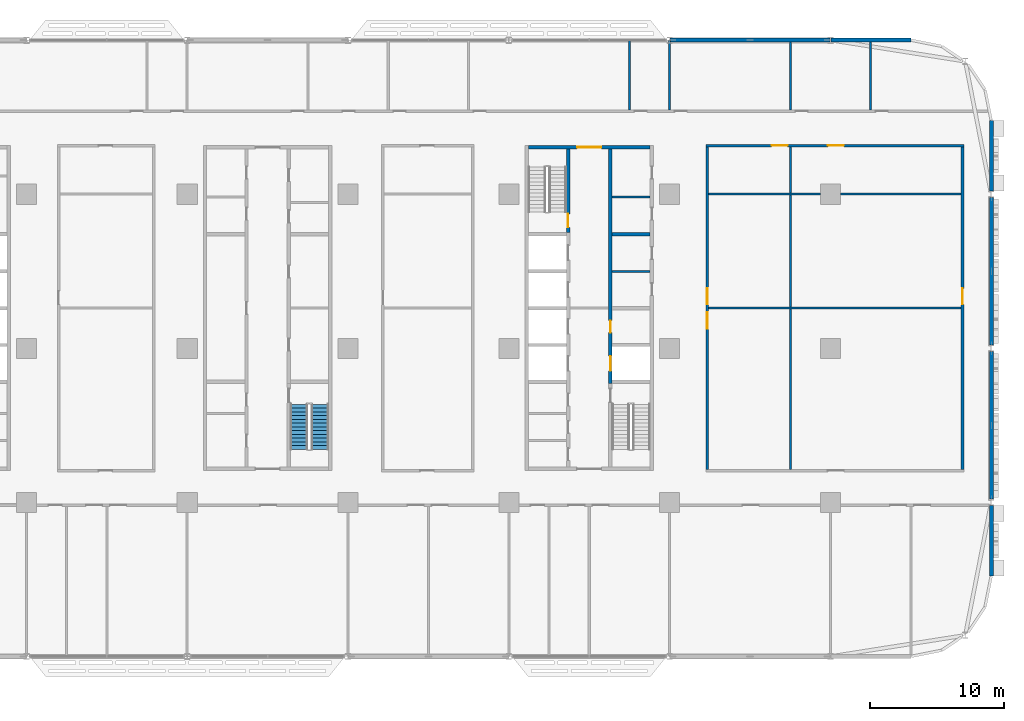
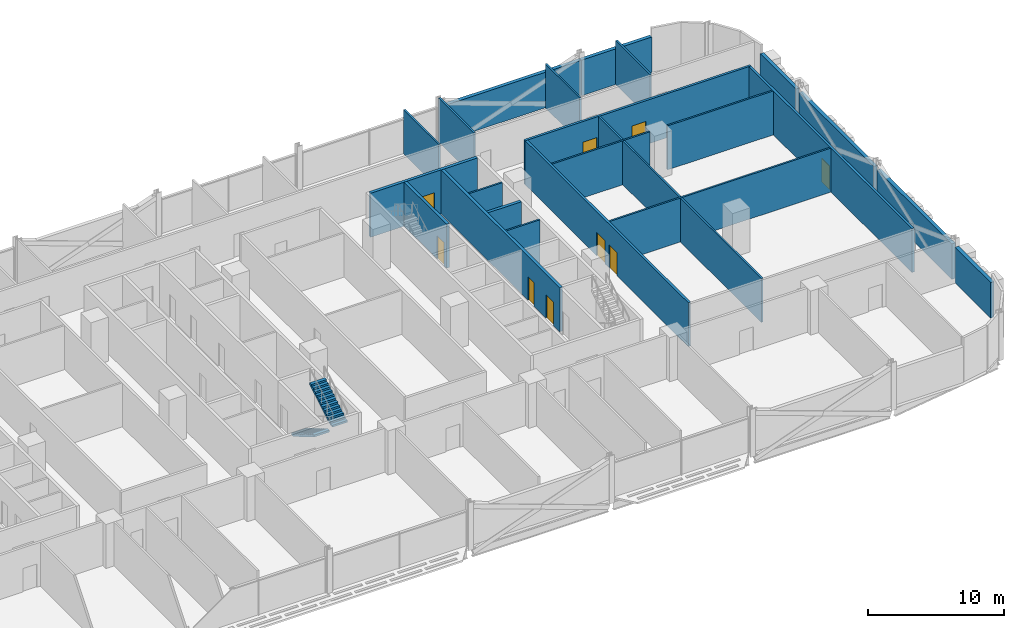
# One storey, part 17 of 29: 23 walls, 9 doors, 2 stair flights, 9 openings, 1 element without a shape of its own.
"""IFC4 building model written with IfcOpenShell, lengths in metres."""

from ifc_helpers import new_model, si_unit, direction, frame, frame_2d, origin, place, context, subcontext, project, spatial, polyline, rectangle, outline, extrude, material, layer, layer_set, type_object, element, fill, aggregate, save


model = new_model("IFC4")

# Units and contexts
model_context = context("Model", 3, precision=1e-05, world=origin(), true_north=direction((0.0, 1.0)))
body_context = subcontext(model_context, "Body", "Model", "MODEL_VIEW")
ifc_project = project(units=[si_unit("LENGTHUNIT", "METRE"), si_unit("AREAUNIT", "SQUARE_METRE"), si_unit("VOLUMEUNIT", "CUBIC_METRE"), si_unit("PLANEANGLEUNIT", "RADIAN"), si_unit("MASSUNIT", "GRAM", prefix="KILO")], contexts=[model_context])

# Site, building, storey
site_placement = place(None, origin())
site = spatial("IfcSite", under=ifc_project, at=site_placement, CompositionType="ELEMENT")
building_placement = place(site_placement, origin())
building = spatial("IfcBuilding", under=site, at=building_placement, Name="Mahtab Terrace Research Tower", CompositionType="ELEMENT")
storey_placement = place(building_placement, frame((0.0, 0.0, 58.89990234375)))
storey = spatial("IfcBuildingStorey", under=building, at=storey_placement, Name="L13", CompositionType="ELEMENT", Elevation=58.89990234375)

# Walls
ifc_material_1 = material(Name="Gypsum board partition")
ifc_layer_1 = layer(ifc_material_1, 0.14990234375)
ifc_layer_set_1 = layer_set([ifc_layer_1], Name="Core partition 150")
wall_type_1 = type_object("IfcWallType", Name="Core partition 150", PredefinedType="PARTITIONING", material=ifc_layer_set_1)
for number, where, z_axis, x_axis, name in (
    (1, (25.699951171875, 5.75, 0.0), (0.0, 0.0, 1.0), (1.0, 0.0, 0.0), "Core wall C pEL275"),
    (2, (25.699951171875, 11.27490234375, 0.0), (0.0, 0.0, 1.0), (1.0, 0.0, 0.0), "Core wall C pEN828"),
):
    element("IfcWall", number, at=place(storey_placement, frame(where, z_axis=z_axis, x_axis=x_axis)), inside=storey, type_object=wall_type_1, Name=name, PredefinedType="PARTITIONING", context=body_context, shape_type="SweptSolid", body=[
        extrude(rectangle(XDim=2.85009765625, YDim=0.14990234375, at=frame_2d((1.425048828125, 0.0))), origin(), (0.0, 0.0, 1.0), 3.960205078125),
    ])

# Wall, opening, door
ifc_material_2 = material(Name="Concrete C70/85", Category="concrete")
ifc_layer_2 = layer(ifc_material_2, 0.25)
ifc_layer_set_2 = layer_set([ifc_layer_2], Name="Core wall 250")
wall_type_2 = type_object("IfcWallType", Name="Core wall 250", PredefinedType="SOLIDWALL", material=ifc_layer_set_2)
wall_1_placement = place(storey_placement, frame((19.449951171875, 15.0, 0.0), z_axis=(0.0, 0.0, 1.0), x_axis=(1.0, 0.0, 0.0)))
wall_1 = element("IfcWall", 3, at=wall_1_placement, inside=storey, type_object=wall_type_2, Name="Core wall C endN", PredefinedType="SOLIDWALL", context=body_context, shape_type="SweptSolid", body=[
    extrude(rectangle(XDim=9.10009765625, YDim=0.25, at=frame_2d((4.550048828125, 0.0))), origin(), (0.0, 0.0, 1.0), 3.960205078125),
])
opening_1_placement = place(wall_1_placement, frame((3.64990234375, 0.0, 0.0)))
opening_1 = element("IfcOpeningElement", 4, at=opening_1_placement, cuts=wall_1, Name="Opening C-N1", PredefinedType="OPENING", context=body_context, shape_type="SweptSolid", body=[
    extrude(rectangle(XDim=1.800048828125, YDim=2.10009765625, at=frame_2d((0.89990234375, 1.050048828125))), frame((0.0, 0.135009765625, 0.0), z_axis=(0.0, -1.0, 0.0), x_axis=(1.0, 0.0, 0.0)), (0.0, 0.0, 1.0), 0.27001953125),
])
ifc_material_3 = material(Name="Steel fire door", Category="steel")
door_type_1 = type_object("IfcDoorType", Name="Lobby double door 1800x2100 1 HR", OperationType="DOUBLE_DOOR_SINGLE_SWING", PredefinedType="DOOR", material=ifc_material_3)
door_1_placement = place(opening_1_placement, origin())
door_1 = element("IfcDoor", 5, at=door_1_placement, inside=storey, type_object=door_type_1, Name="Core entrance door C N", OperationType="DOUBLE_DOOR_SINGLE_SWING", OverallHeight=2.10009765625, OverallWidth=1.800048828125, PredefinedType="DOOR", context=body_context, shape_type="SweptSolid", body=[
    extrude(rectangle(XDim=1.800048828125, YDim=2.10009765625, at=frame_2d((0.89990234375, 1.050048828125))), frame((0.0, 0.02490234375, 0.0), z_axis=(0.0, -1.0, 0.0), x_axis=(1.0, 0.0, 0.0)), (0.0, 0.0, 1.0), 0.050048828125),
])
fill(opening_1, door_1)

wall_2_placement = place(storey_placement, frame((22.425048828125, 14.875, 0.0), z_axis=(0.0, 0.0, 1.0), x_axis=(0.0, -1.0, 0.0)))
wall_2 = element("IfcWall", 6, at=wall_2_placement, inside=storey, type_object=wall_type_2, Name="Core wall C innerWN", PredefinedType="SOLIDWALL", context=body_context, shape_type="SweptSolid", body=[
    extrude(rectangle(XDim=6.25, YDim=0.25, at=frame_2d((3.125, 0.0))), origin(), (0.0, 0.0, 1.0), 3.960205078125),
])
opening_2_placement = place(wall_2_placement, frame((4.85009765625, 0.0, 0.0)))
opening_2 = element("IfcOpeningElement", 7, at=opening_2_placement, cuts=wall_2, Name="Opening C-ST3", PredefinedType="OPENING", context=body_context, shape_type="SweptSolid", body=[
    extrude(rectangle(XDim=1.0, YDim=2.10009765625, at=frame_2d((0.5, 1.050048828125))), frame((0.0, 0.135009765625, 0.0), z_axis=(0.0, -1.0, 0.0), x_axis=(1.0, 0.0, 0.0)), (0.0, 0.0, 1.0), 0.27001953125),
])
door_type_2 = type_object("IfcDoorType", Name="Stair door 1000x2100 1.5 HR", OperationType="NOTDEFINED", PredefinedType="DOOR", material=ifc_material_3)
door_2_placement = place(opening_2_placement, origin())
door_2 = element("IfcDoor", 8, at=door_2_placement, inside=storey, type_object=door_type_2, Name="Stair door ST3 L13", OperationType="SINGLE_SWING_LEFT", OverallHeight=2.10009765625, OverallWidth=1.0, PredefinedType="DOOR", context=body_context, shape_type="SweptSolid", body=[
    extrude(rectangle(XDim=1.0, YDim=2.10009765625, at=frame_2d((0.5, 1.050048828125))), frame((0.0, 0.02490234375, 0.0), z_axis=(0.0, -1.0, 0.0), x_axis=(1.0, 0.0, 0.0)), (0.0, 0.0, 1.0), 0.050048828125),
])
fill(opening_2, door_2)

# Wall, openings, doors
wall_3_placement = place(storey_placement, frame((25.574951171875, 14.875, 0.0), z_axis=(0.0, 0.0, 1.0), x_axis=(0.0, -1.0, 0.0)))
wall_3 = element("IfcWall", 9, at=wall_3_placement, inside=storey, type_object=wall_type_2, Name="Core wall C innerELN", PredefinedType="SOLIDWALL", context=body_context, shape_type="SweptSolid", body=[
    extrude(rectangle(XDim=17.5, YDim=0.25, at=frame_2d((8.75, 0.0))), origin(), (0.0, 0.0, 1.0), 3.960205078125),
])
opening_3_placement = place(wall_3_placement, frame((15.449951171875, 0.0, 0.0)))
opening_3 = element("IfcOpeningElement", 10, at=opening_3_placement, cuts=wall_3, Name="Opening LD21-L13", PredefinedType="OPENING", context=body_context, shape_type="SweptSolid", body=[
    extrude(rectangle(XDim=1.10009765625, YDim=2.10009765625, at=frame_2d((0.550048828125, 1.050048828125))), frame((0.0, 0.135009765625, 0.0), z_axis=(0.0, -1.0, 0.0), x_axis=(1.0, 0.0, 0.0)), (0.0, 0.0, 1.0), 0.27001953125),
])
opening_4_placement = place(wall_3_placement, frame((12.800048828125, 0.0, 0.0)))
opening_4 = element("IfcOpeningElement", 11, at=opening_4_placement, cuts=wall_3, Name="Opening C-R1", PredefinedType="OPENING", context=body_context, shape_type="SweptSolid", body=[
    extrude(rectangle(XDim=0.89990234375, YDim=2.10009765625, at=frame_2d((0.449951171875, 1.050048828125))), frame((0.0, 0.135009765625, 0.0), z_axis=(0.0, -1.0, 0.0), x_axis=(1.0, 0.0, 0.0)), (0.0, 0.0, 1.0), 0.27001953125),
])
ifc_material_4 = material(Name="Stainless steel AISI 304", Category="steel")
door_type_3 = type_object("IfcDoorType", Name="Landing door 1100x2100", OperationType="DOUBLE_DOOR_SLIDING", PredefinedType="DOOR", material=ifc_material_4)
door_3_placement = place(opening_3_placement, origin())
door_3 = element("IfcDoor", 12, at=door_3_placement, inside=storey, type_object=door_type_3, Name="Landing door SV3 L13", OperationType="DOUBLE_DOOR_SLIDING", OverallHeight=2.10009765625, OverallWidth=1.10009765625, PredefinedType="DOOR", context=body_context, shape_type="SweptSolid", body=[
    extrude(rectangle(XDim=1.10009765625, YDim=2.10009765625, at=frame_2d((0.550048828125, 1.050048828125))), frame((0.0, 0.02490234375, 0.0), z_axis=(0.0, -1.0, 0.0), x_axis=(1.0, 0.0, 0.0)), (0.0, 0.0, 1.0), 0.050048828125),
])
fill(opening_3, door_3)
door_type_4 = type_object("IfcDoorType", Name="Room door 900x2100 1 HR", OperationType="NOTDEFINED", PredefinedType="DOOR", material=ifc_material_3)
door_4_placement = place(opening_4_placement, origin())
door_4 = element("IfcDoor", 13, at=door_4_placement, inside=storey, type_object=door_type_4, Name="Plant room door", OperationType="SINGLE_SWING_LEFT", OverallHeight=2.10009765625, OverallWidth=0.89990234375, PredefinedType="DOOR", context=body_context, shape_type="SweptSolid", body=[
    extrude(rectangle(XDim=0.89990234375, YDim=2.10009765625, at=frame_2d((0.449951171875, 1.050048828125))), frame((0.0, 0.02490234375, 0.0), z_axis=(0.0, -1.0, 0.0), x_axis=(1.0, 0.0, 0.0)), (0.0, 0.0, 1.0), 0.050048828125),
])
fill(opening_4, door_4)

# Walls
wall_4_placement = place(storey_placement, frame((25.699951171875, 8.5, 0.0), z_axis=(0.0, 0.0, 1.0), x_axis=(1.0, 0.0, 0.0)))
element("IfcWall", 14, at=wall_4_placement, inside=storey, type_object=wall_type_2, Name="Core wall C divE4", PredefinedType="SOLIDWALL", context=body_context, shape_type="SweptSolid", body=[
    extrude(rectangle(XDim=2.85009765625, YDim=0.25, at=frame_2d((1.425048828125, 0.0))), origin(), (0.0, 0.0, 1.0), 3.960205078125),
])
ifc_material_5 = material(Name="Black aluminium cladding panel", Category="aluminium")
ifc_layer_3 = layer(ifc_material_5, 0.300048828125)
ifc_layer_set_3 = layer_set([ifc_layer_3], Name="Opaque facade wall 300")
wall_type_3 = type_object("IfcWallType", Name="Opaque facade wall 300", PredefinedType="NOTDEFINED", material=ifc_layer_set_3)
wall_5_placement = place(storey_placement, frame((48.0, 23.0, 0.0), z_axis=(0.0, 0.0, 1.0), x_axis=(-1.0, 0.0, 0.0)))
element("IfcWall", 15, at=wall_5_placement, inside=storey, type_object=wall_type_3, Name="Opaque facade wall L13 N3", PredefinedType="NOTDEFINED", context=body_context, shape_type="SweptSolid", body=[
    extrude(rectangle(XDim=5.97607421875, YDim=0.300048828125, at=frame_2d((2.988037109375, 0.0))), origin(), (0.0, 0.0, 1.0), 3.203125),
])
wall_6_placement = place(storey_placement, frame((41.97607421875, 23.0, 0.0), z_axis=(0.0, 0.0, 1.0), x_axis=(-1.0, 0.0, 0.0)))
element("IfcWall", 16, at=wall_6_placement, inside=storey, type_object=wall_type_3, Name="Opaque facade wall L13 N4", PredefinedType="NOTDEFINED", context=body_context, shape_type="SweptSolid", body=[
    extrude(rectangle(XDim=11.9521484375, YDim=0.300048828125, at=frame_2d((5.97607421875, 0.0))), origin(), (0.0, 0.0, 1.0), 3.203125),
])
wall_7_placement = place(storey_placement, frame((54.0, -17.0, 0.0), z_axis=(0.0, 0.0, 1.0), x_axis=(0.0, 1.0, 0.0)))
element("IfcWall", 17, at=wall_7_placement, inside=storey, type_object=wall_type_3, Name="Opaque facade wall L13 E35", PredefinedType="NOTDEFINED", context=body_context, shape_type="SweptSolid", body=[
    extrude(rectangle(XDim=5.261962890625, YDim=0.300048828125, at=frame_2d((2.630859375, 0.0))), origin(), (0.0, 0.0, 1.0), 3.203125),
])
for number, where, z_axis, x_axis, name in (
    (18, (54.0, -11.261962890625, 0.0), (0.0, 0.0, 1.0), (0.0, 1.0, 0.0), "Opaque facade wall L13 E36"),
    (19, (54.0, 0.238037109375, 0.0), (0.0, 0.0, 1.0), (0.0, 1.0, 0.0), "Opaque facade wall L13 E37"),
):
    element("IfcWall", number, at=place(storey_placement, frame(where, z_axis=z_axis, x_axis=x_axis)), inside=storey, type_object=wall_type_3, Name=name, PredefinedType="NOTDEFINED", context=body_context, shape_type="SweptSolid", body=[
        extrude(rectangle(XDim=11.02392578125, YDim=0.300048828125, at=frame_2d((5.511962890625, 0.0))), origin(), (0.0, 0.0, 1.0), 3.203125),
    ])
wall_8_placement = place(storey_placement, frame((54.0, 11.738037109375, 0.0), z_axis=(0.0, 0.0, 1.0), x_axis=(0.0, 1.0, 0.0)))
element("IfcWall", 20, at=wall_8_placement, inside=storey, type_object=wall_type_3, Name="Opaque facade wall L13 E38", PredefinedType="NOTDEFINED", context=body_context, shape_type="SweptSolid", body=[
    extrude(rectangle(XDim=5.261962890625, YDim=0.300048828125, at=frame_2d((2.630859375, 0.0))), origin(), (0.0, 0.0, 1.0), 3.203125),
])

# Wall, openings, doors
ifc_material_6 = material(Name="Gypsum board corridor wall on steel studs", Category="steel")
ifc_layer_4 = layer(ifc_material_6, 0.199951171875)
ifc_layer_set_4 = layer_set([ifc_layer_4], Name="WALL CORRIDOR 200")
wall_type_4 = type_object("IfcWallType", Name="WALL CORRIDOR 200", PredefinedType="PARTITIONING", material=ifc_layer_set_4)
wall_9_placement = place(storey_placement, frame((32.699951171875, 15.125, 0.0), z_axis=(0.0, 0.0, 1.0), x_axis=(1.0, 0.0, 0.0)))
wall_9 = element("IfcWall", 21, at=wall_9_placement, inside=storey, type_object=wall_type_4, Name="L13-W025", PredefinedType="PARTITIONING", context=body_context, shape_type="SweptSolid", body=[
    extrude(rectangle(XDim=19.25, YDim=0.199951171875, at=frame_2d((9.625, 0.0))), origin(), (0.0, 0.0, 1.0), 3.960205078125),
])
opening_5_placement = place(wall_9_placement, frame((4.89990234375, 0.0, 0.0)))
opening_5 = element("IfcOpeningElement", 22, at=opening_5_placement, cuts=wall_9, Name="Opening L13-129", PredefinedType="OPENING", context=body_context, shape_type="SweptSolid", body=[
    extrude(rectangle(XDim=1.199951171875, YDim=2.10009765625, at=frame_2d((0.60009765625, 1.050048828125))), frame((0.0, 0.10986328125, 0.0), z_axis=(0.0, -1.0, 0.0), x_axis=(1.0, 0.0, 0.0)), (0.0, 0.0, 1.0), 0.219970703125),
])
opening_6_placement = place(wall_9_placement, frame((9.10009765625, 0.0, 0.0)))
opening_6 = element("IfcOpeningElement", 23, at=opening_6_placement, cuts=wall_9, Name="Opening L13-130", PredefinedType="OPENING", context=body_context, shape_type="SweptSolid", body=[
    extrude(rectangle(XDim=1.199951171875, YDim=2.10009765625, at=frame_2d((0.60009765625, 1.050048828125))), frame((0.0, 0.10986328125, 0.0), z_axis=(0.0, -1.0, 0.0), x_axis=(1.0, 0.0, 0.0)), (0.0, 0.0, 1.0), 0.219970703125),
])
ifc_material_7 = material(Name="Timber door leaf in steel frame", Category="steel")
door_type_5 = type_object("IfcDoorType", Name="DOOR 1200X2100 FD30S", OperationType="SINGLE_SWING_LEFT", PredefinedType="DOOR", material=ifc_material_7)
door_5_placement = place(opening_5_placement, origin())
door_5 = element("IfcDoor", 24, at=door_5_placement, inside=storey, type_object=door_type_5, Name="Door L13-129", OperationType="SINGLE_SWING_RIGHT", OverallHeight=2.10009765625, OverallWidth=1.199951171875, PredefinedType="DOOR", context=body_context, shape_type="SweptSolid", body=[
    extrude(rectangle(XDim=1.199951171875, YDim=2.10009765625, at=frame_2d((0.60009765625, 1.050048828125))), frame((0.0, 0.02490234375, 0.0), z_axis=(0.0, -1.0, 0.0), x_axis=(1.0, 0.0, 0.0)), (0.0, 0.0, 1.0), 0.050048828125),
])
fill(opening_5, door_5)
door_6_placement = place(opening_6_placement, origin())
door_6 = element("IfcDoor", 25, at=door_6_placement, inside=storey, type_object=door_type_5, Name="Door L13-130", OperationType="SINGLE_SWING_LEFT", OverallHeight=2.10009765625, OverallWidth=1.199951171875, PredefinedType="DOOR", context=body_context, shape_type="SweptSolid", body=[
    extrude(rectangle(XDim=1.199951171875, YDim=2.10009765625, at=frame_2d((0.60009765625, 1.050048828125))), frame((0.0, 0.02490234375, 0.0), z_axis=(0.0, -1.0, 0.0), x_axis=(1.0, 0.0, 0.0)), (0.0, 0.0, 1.0), 0.050048828125),
])
fill(opening_6, door_6)

wall_10_placement = place(storey_placement, frame((32.800048828125, -9.02490234375, 0.0), z_axis=(0.0, 0.0, 1.0), x_axis=(0.0, 1.0, 0.0)))
wall_10 = element("IfcWall", 26, at=wall_10_placement, inside=storey, type_object=wall_type_4, Name="L13-W055", PredefinedType="PARTITIONING", context=body_context, shape_type="SweptSolid", body=[
    extrude(rectangle(XDim=24.0498046875, YDim=0.199951171875, at=frame_2d((12.02490234375, 0.0))), origin(), (0.0, 0.0, 1.0), 3.960205078125),
])
opening_7_placement = place(wall_10_placement, frame((10.5, 0.0, 0.0)))
opening_7 = element("IfcOpeningElement", 27, at=opening_7_placement, cuts=wall_10, Name="Opening L13-119", PredefinedType="OPENING", context=body_context, shape_type="SweptSolid", body=[
    extrude(rectangle(XDim=1.199951171875, YDim=2.10009765625, at=frame_2d((0.60009765625, 1.050048828125))), frame((0.0, 0.10986328125, 0.0), z_axis=(0.0, -1.0, 0.0), x_axis=(1.0, 0.0, 0.0)), (0.0, 0.0, 1.0), 0.219970703125),
])
opening_8_placement = place(wall_10_placement, frame((12.300048828125, 0.0, 0.0)))
opening_8 = element("IfcOpeningElement", 28, at=opening_8_placement, cuts=wall_10, Name="Opening L13-124", PredefinedType="OPENING", context=body_context, shape_type="SweptSolid", body=[
    extrude(rectangle(XDim=1.199951171875, YDim=2.10009765625, at=frame_2d((0.60009765625, 1.050048828125))), frame((0.0, 0.10986328125, 0.0), z_axis=(0.0, -1.0, 0.0), x_axis=(1.0, 0.0, 0.0)), (0.0, 0.0, 1.0), 0.219970703125),
])
door_7_placement = place(opening_7_placement, origin())
door_7 = element("IfcDoor", 29, at=door_7_placement, inside=storey, type_object=door_type_5, Name="Door L13-119", OperationType="SINGLE_SWING_RIGHT", OverallHeight=2.10009765625, OverallWidth=1.199951171875, PredefinedType="DOOR", context=body_context, shape_type="SweptSolid", body=[
    extrude(rectangle(XDim=1.199951171875, YDim=2.10009765625, at=frame_2d((0.60009765625, 1.050048828125))), frame((0.0, 0.02490234375, 0.0), z_axis=(0.0, -1.0, 0.0), x_axis=(1.0, 0.0, 0.0)), (0.0, 0.0, 1.0), 0.050048828125),
])
fill(opening_7, door_7)
door_8_placement = place(opening_8_placement, origin())
door_8 = element("IfcDoor", 30, at=door_8_placement, inside=storey, type_object=door_type_5, Name="Door L13-124", OperationType="SINGLE_SWING_LEFT", OverallHeight=2.10009765625, OverallWidth=1.199951171875, PredefinedType="DOOR", context=body_context, shape_type="SweptSolid", body=[
    extrude(rectangle(XDim=1.199951171875, YDim=2.10009765625, at=frame_2d((0.60009765625, 1.050048828125))), frame((0.0, 0.02490234375, 0.0), z_axis=(0.0, -1.0, 0.0), x_axis=(1.0, 0.0, 0.0)), (0.0, 0.0, 1.0), 0.050048828125),
])
fill(opening_8, door_8)

# Wall, opening, door
wall_11_placement = place(storey_placement, frame((51.85009765625, -9.02490234375, 0.0), z_axis=(0.0, 0.0, 1.0), x_axis=(0.0, 1.0, 0.0)))
wall_11 = element("IfcWall", 31, at=wall_11_placement, inside=storey, type_object=wall_type_4, Name="L13-W061", PredefinedType="PARTITIONING", context=body_context, shape_type="SweptSolid", body=[
    extrude(rectangle(XDim=24.0498046875, YDim=0.199951171875, at=frame_2d((12.02490234375, 0.0))), origin(), (0.0, 0.0, 1.0), 3.960205078125),
])
opening_9_placement = place(wall_11_placement, frame((12.300048828125, 0.0, 0.0)))
opening_9 = element("IfcOpeningElement", 32, at=opening_9_placement, cuts=wall_11, Name="Opening L13-125", PredefinedType="OPENING", context=body_context, shape_type="SweptSolid", body=[
    extrude(rectangle(XDim=1.199951171875, YDim=2.10009765625, at=frame_2d((0.60009765625, 1.050048828125))), frame((0.0, 0.10986328125, 0.0), z_axis=(0.0, -1.0, 0.0), x_axis=(1.0, 0.0, 0.0)), (0.0, 0.0, 1.0), 0.219970703125),
])
door_9_placement = place(opening_9_placement, origin())
door_9 = element("IfcDoor", 33, at=door_9_placement, inside=storey, type_object=door_type_5, Name="Door L13-125", OperationType="SINGLE_SWING_RIGHT", OverallHeight=2.10009765625, OverallWidth=1.199951171875, PredefinedType="DOOR", context=body_context, shape_type="SweptSolid", body=[
    extrude(rectangle(XDim=1.199951171875, YDim=2.10009765625, at=frame_2d((0.60009765625, 1.050048828125))), frame((0.0, 0.02490234375, 0.0), z_axis=(0.0, -1.0, 0.0), x_axis=(1.0, 0.0, 0.0)), (0.0, 0.0, 1.0), 0.050048828125),
])
fill(opening_9, door_9)

# Walls
ifc_material_8 = material(Name="Gypsum board partition on steel studs", Category="steel")
ifc_layer_5 = layer(ifc_material_8, 0.14990234375)
ifc_layer_set_5 = layer_set([ifc_layer_5], Name="WALL PARTITION 150")
wall_type_5 = type_object("IfcWallType", Name="WALL PARTITION 150", PredefinedType="PARTITIONING", material=ifc_layer_set_5)
wall_12_placement = place(storey_placement, frame((32.89990234375, 3.0, 0.0), z_axis=(0.0, 0.0, 1.0), x_axis=(1.0, 0.0, 0.0)))
element("IfcWall", 34, at=wall_12_placement, inside=storey, type_object=wall_type_5, Name="L13-W016", PredefinedType="PARTITIONING", context=body_context, shape_type="SweptSolid", body=[
    extrude(rectangle(XDim=18.85009765625, YDim=0.14990234375, at=frame_2d((9.425048828125, 0.0))), origin(), (0.0, 0.0, 1.0), 3.960205078125),
])
wall_13_placement = place(storey_placement, frame((32.89990234375, 11.5, 0.0), z_axis=(0.0, 0.0, 1.0), x_axis=(1.0, 0.0, 0.0)))
element("IfcWall", 35, at=wall_13_placement, inside=storey, type_object=wall_type_5, Name="L13-W020", PredefinedType="PARTITIONING", context=body_context, shape_type="SweptSolid", body=[
    extrude(rectangle(XDim=8.35009765625, YDim=0.14990234375, at=frame_2d((4.175048828125, 0.0))), origin(), (0.0, 0.0, 1.0), 3.960205078125),
])
wall_14_placement = place(storey_placement, frame((42.75, 11.5, 0.0), z_axis=(0.0, 0.0, 1.0), x_axis=(1.0, 0.0, 0.0)))
element("IfcWall", 36, at=wall_14_placement, inside=storey, type_object=wall_type_5, Name="L13-W021", PredefinedType="PARTITIONING", context=body_context, shape_type="SweptSolid", body=[
    extrude(rectangle(XDim=9.0, YDim=0.14990234375, at=frame_2d((4.5, 0.0))), origin(), (0.0, 0.0, 1.0), 3.960205078125),
])
for number, where, z_axis, x_axis, name in (
    (37, (27.0, 17.800048828125, 0.0), (0.0, 0.0, 1.0), (0.0, 1.0, 0.0), "L13-W052"),
    (38, (30.0, 17.800048828125, 0.0), (0.0, 0.0, 1.0), (0.0, 1.0, 0.0), "L13-W054"),
):
    element("IfcWall", number, at=place(storey_placement, frame(where, z_axis=z_axis, x_axis=x_axis)), inside=storey, type_object=wall_type_5, Name=name, PredefinedType="PARTITIONING", context=body_context, shape_type="SweptSolid", body=[
        extrude(rectangle(XDim=5.175048828125, YDim=0.14990234375, at=frame_2d((2.58740234375, 0.0))), origin(), (0.0, 0.0, 1.0), 3.960205078125),
    ])
wall_15_placement = place(storey_placement, frame((39.0, -9.02490234375, 0.0), z_axis=(0.0, 0.0, 1.0), x_axis=(0.0, 1.0, 0.0)))
element("IfcWall", 39, at=wall_15_placement, inside=storey, type_object=wall_type_5, Name="L13-W056", PredefinedType="PARTITIONING", context=body_context, shape_type="SweptSolid", body=[
    extrude(rectangle(XDim=24.0498046875, YDim=0.14990234375, at=frame_2d((12.02490234375, 0.0))), origin(), (0.0, 0.0, 1.0), 3.960205078125),
])
for number, where, z_axis, x_axis, name in (
    (40, (39.0, 17.800048828125, 0.0), (0.0, 0.0, 1.0), (0.0, 1.0, 0.0), "L13-W057"),
    (41, (45.0, 17.800048828125, 0.0), (0.0, 0.0, 1.0), (0.0, 1.0, 0.0), "L13-W059"),
):
    element("IfcWall", number, at=place(storey_placement, frame(where, z_axis=z_axis, x_axis=x_axis)), inside=storey, type_object=wall_type_5, Name=name, PredefinedType="PARTITIONING", context=body_context, shape_type="SweptSolid", body=[
        extrude(rectangle(XDim=5.050048828125, YDim=0.14990234375, at=frame_2d((2.52490234375, 0.0))), origin(), (0.0, 0.0, 1.0), 3.960205078125),
    ])

# Stair, stair flights
ifc_material_9 = material(Name="Exit stair half-turn")
stair_type = type_object("IfcStairType", Name="Exit stair half-turn", PredefinedType="HALF_TURN_STAIR", material=ifc_material_9)
stair_placement = place(storey_placement, origin())
stair = element("IfcStair", 42, at=stair_placement, inside=storey, type_object=stair_type, Name="L13 Protected exit stair ST2", PredefinedType="HALF_TURN_STAIR")
ifc_material_10 = material(Name="Concrete C40/50", Category="concrete")
stair_flight_type = type_object("IfcStairFlightType", Name="Exit stair flight 1300", PredefinedType="STRAIGHT", material=ifc_material_10)
stair_flight_1_placement = place(storey_placement, frame((2.35009765625, -4.175048828125, 0.0), z_axis=(0.0, 0.0, 1.0), x_axis=(0.0, -1.0, 0.0)))
stair_flight_1 = element("IfcStairFlight", 43, at=stair_flight_1_placement, type_object=stair_flight_type, Name="ST2 flight 1", NumberOfRisers=13, NumberOfTreads=12, PredefinedType="STRAIGHT", RiserHeight=0.165384615, TreadLength=0.28, context=body_context, shape_type="SweptSolid", body=[
    extrude(outline(polyline([(0.0, 0.0), (0.0, 0.165283203125), (0.280029296875, 0.165283203125), (0.280029296875, 0.330810546875), (0.56005859375, 0.330810546875), (0.56005859375, 0.49609375), (0.840087890625, 0.49609375), (0.840087890625, 0.66162109375), (1.1201171875, 0.66162109375), (1.1201171875, 0.826904296875), (1.39990234375, 0.826904296875), (1.39990234375, 0.9921875), (1.679931640625, 0.9921875), (1.679931640625, 1.15771484375), (1.9599609375, 1.15771484375), (1.9599609375, 1.322998046875), (2.239990234375, 1.322998046875), (2.239990234375, 1.488525390625), (2.52001953125, 1.488525390625), (2.52001953125, 1.65380859375), (2.800048828125, 1.65380859375), (2.800048828125, 1.8193359375), (3.080078125, 1.8193359375), (3.080078125, 1.984619140625), (3.360107421875, 1.984619140625), (3.360107421875, 2.14990234375), (3.360107421875, 1.810546875), (0.294677734375, 0.0), (0.0, 0.0)])), frame((0.0, 0.64990234375, 0.0), z_axis=(0.0, -1.0, 0.0), x_axis=(1.0, 0.0, 0.0)), (0.0, 0.0, 1.0), 1.300048828125),
])
stair_flight_2_placement = place(storey_placement, frame((3.89990234375, -7.534912109375, 2.150146484375), z_axis=(0.0, 0.0, 1.0), x_axis=(0.0, 1.0, 0.0)))
stair_flight_2 = element("IfcStairFlight", 44, at=stair_flight_2_placement, type_object=stair_flight_type, Name="ST2 flight 2", NumberOfRisers=13, NumberOfTreads=12, PredefinedType="STRAIGHT", RiserHeight=0.165384615, TreadLength=0.28, context=body_context, shape_type="SweptSolid", body=[
    extrude(outline(polyline([(0.0, 0.0), (0.0, 0.165283203125), (0.280029296875, 0.165283203125), (0.280029296875, 0.330810546875), (0.56005859375, 0.330810546875), (0.56005859375, 0.49609375), (0.840087890625, 0.49609375), (0.840087890625, 0.66162109375), (1.1201171875, 0.66162109375), (1.1201171875, 0.826904296875), (1.39990234375, 0.826904296875), (1.39990234375, 0.9921875), (1.679931640625, 0.9921875), (1.679931640625, 1.15771484375), (1.9599609375, 1.15771484375), (1.9599609375, 1.322998046875), (2.239990234375, 1.322998046875), (2.239990234375, 1.488525390625), (2.52001953125, 1.488525390625), (2.52001953125, 1.65380859375), (2.800048828125, 1.65380859375), (2.800048828125, 1.8193359375), (3.080078125, 1.8193359375), (3.080078125, 1.984619140625), (3.360107421875, 1.984619140625), (3.360107421875, 2.14990234375), (3.360107421875, 1.810546875), (0.294677734375, 0.0), (0.0, 0.0)])), frame((0.0, 0.64990234375, 0.0), z_axis=(0.0, -1.0, 0.0), x_axis=(1.0, 0.0, 0.0)), (0.0, 0.0, 1.0), 1.300048828125),
])
aggregate(stair, [stair_flight_1, stair_flight_2])

save(model, "model.ifc")
